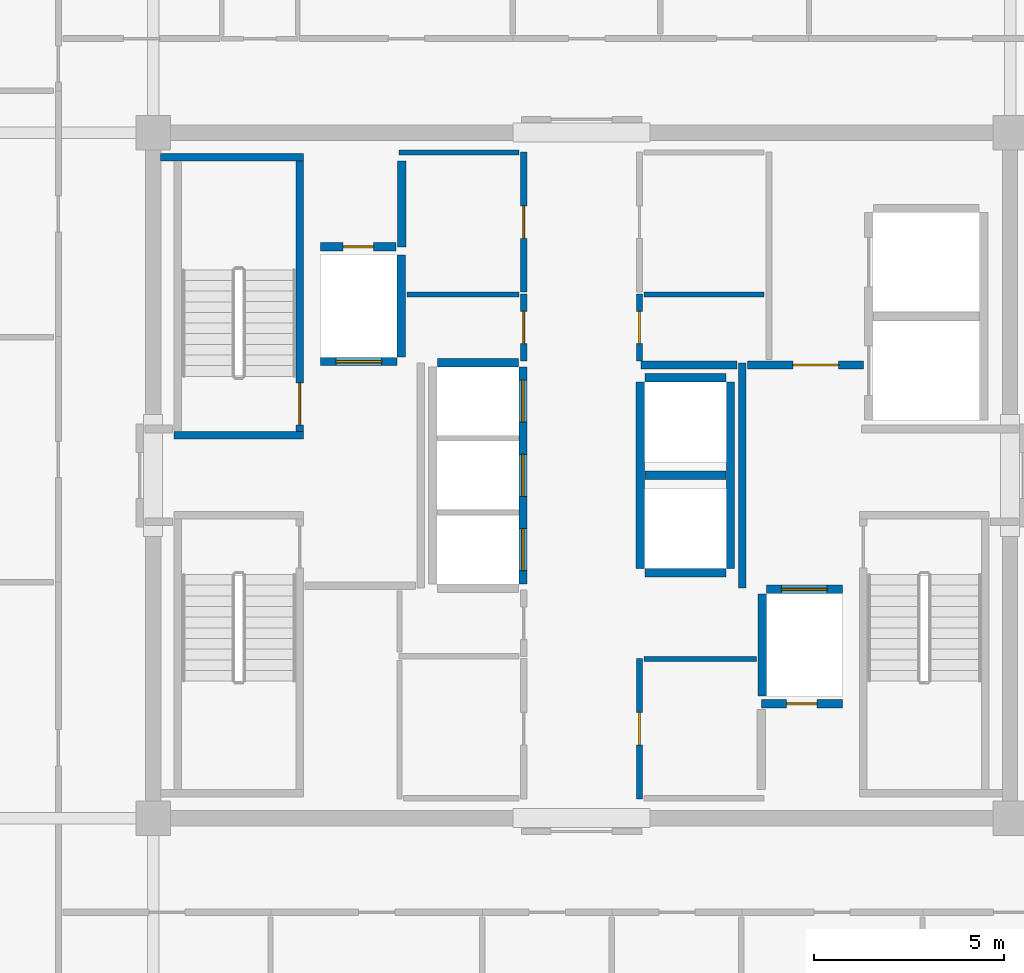
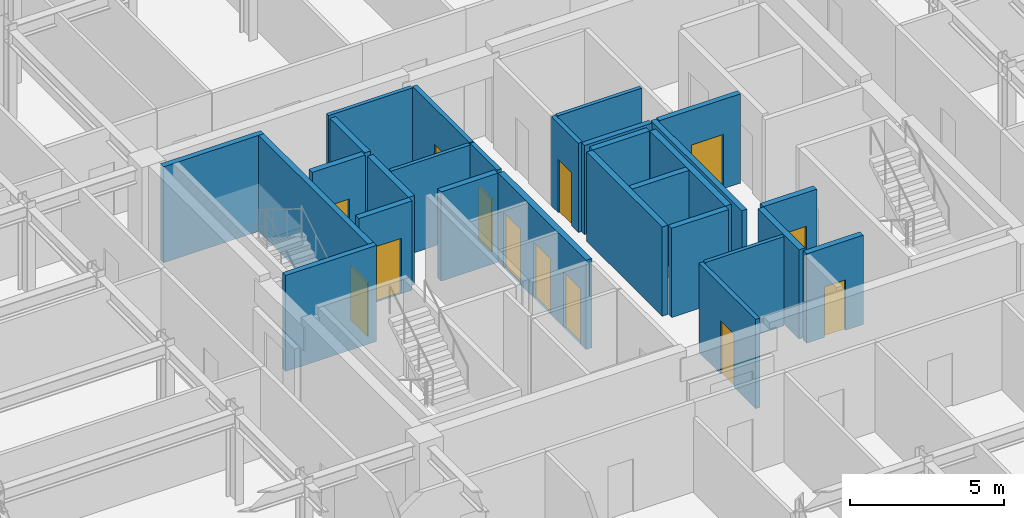
# One storey, part 12 of 16: 28 walls, 13 doors, 13 openings.
"""IFC4 building model written with IfcOpenShell, lengths in metres."""

import ifcopenshell
import ifcopenshell.guid

model = None  # the IFC model being written
_history = None  # IfcOwnerHistory: only IFC2X3 demands one
_inside = {}  # id of a spatial element -> (the spatial element, [elements in it])
_under = {}  # id of a project, library or spatial element -> (it, [spatial elements below it])
_declared = {}  # id of a project -> (the project, [libraries it declares])
_typed = {}  # id of a type object -> (the type object, [elements of that type])
_made_of = {}  # id of a material, layer set ... -> (it, [elements and type objects made of it])


def new_model(schema):
    """Start an empty IFC model of exactly this schema.

    Asked for "IFC4X3", IfcOpenShell would pick the latest addendum, in which some entities
    have other attributes; the version numbers below select the first issue.
    IFC2X3 requires an IfcOwnerHistory on every rooted entity: one is made here for all.
    """
    global model, _history
    if schema == "IFC4X3":
        model = ifcopenshell.file(schema_version=(4, 3, 0, 0))
    else:
        model = ifcopenshell.file(schema=schema)
    _inside.clear()
    _under.clear()
    _declared.clear()
    _typed.clear()
    _made_of.clear()
    _history = None
    if model.schema == "IFC2X3":
        org = make("IfcOrganization", Name="unknown")
        user = make(
            "IfcPersonAndOrganization",
            ThePerson=make("IfcPerson", FamilyName="unknown"),
            TheOrganization=org,
        )
        app = make(
            "IfcApplication",
            ApplicationDeveloper=org,
            Version="unknown",
            ApplicationFullName="unknown",
            ApplicationIdentifier="unknown",
        )
        _history = make(
            "IfcOwnerHistory",
            OwningUser=user,
            OwningApplication=app,
            ChangeAction="ADDED",
            CreationDate=0,
        )
    return model


def make(cls, **values):
    """One entity of the class cls with the attributes given. An attribute that is None is left unset."""
    return model.create_entity(
        cls, **{name: value for name, value in values.items() if value is not None}
    )


def rooted(cls, **values):
    """An entity with a GlobalId (a new one), such as an element, a storey or a relation."""
    return make(cls, GlobalId=ifcopenshell.guid.new(), OwnerHistory=_history, **values)


def si_unit(unit_type, name, prefix=None):
    """IfcSIUnit, for example si_unit("LENGTHUNIT", "METRE", prefix="MILLI")."""
    return make("IfcSIUnit", UnitType=unit_type, Prefix=prefix, Name=name)


def assignment(units):
    """IfcUnitAssignment: the units of a project."""
    return None if units is None else make("IfcUnitAssignment", Units=units)


def point(xyz):
    """IfcCartesianPoint."""
    return None if xyz is None else make("IfcCartesianPoint", Coordinates=xyz)


def direction(xyz):
    """IfcDirection."""
    return None if xyz is None else make("IfcDirection", DirectionRatios=xyz)


def frame(location, z_axis=None, x_axis=None):
    """IfcAxis2Placement3D, a coordinate frame: its origin and axes. An axis left out is left unset."""
    return make(
        "IfcAxis2Placement3D",
        Location=point(location),
        Axis=direction(z_axis),
        RefDirection=direction(x_axis),
    )


def frame_2d(location, x_axis=None):
    """IfcAxis2Placement2D, a coordinate frame in the plane: its origin and x axis."""
    return make(
        "IfcAxis2Placement2D", Location=point(location), RefDirection=direction(x_axis)
    )


def origin():
    """The frame at (0, 0, 0) with its axes left unset."""
    return frame((0.0, 0.0, 0.0))


def place(relative_to, where):
    """IfcLocalPlacement: puts the frame where relative to a parent placement (None: the world)."""
    return make(
        "IfcLocalPlacement", PlacementRelTo=relative_to, RelativePlacement=where
    )


def context(
    kind, dimensions, precision=None, world=None, true_north=None, identifier=None
):
    """IfcGeometricRepresentationContext, for example the 3D "Model" context."""
    return make(
        "IfcGeometricRepresentationContext",
        ContextIdentifier=identifier,
        ContextType=kind,
        CoordinateSpaceDimension=dimensions,
        Precision=precision,
        WorldCoordinateSystem=world,
        TrueNorth=true_north,
    )


def subcontext(parent, identifier, kind, view, scale=None):
    """IfcGeometricRepresentationSubContext, for example "Body" below "Model"."""
    return make(
        "IfcGeometricRepresentationSubContext",
        ContextIdentifier=identifier,
        ContextType=kind,
        ParentContext=parent,
        TargetScale=scale,
        TargetView=view,
    )


def project(units=None, contexts=None):
    """IfcProject with its units and contexts."""
    return rooted(
        "IfcProject",
        Name="project",
        RepresentationContexts=contexts,
        UnitsInContext=assignment(units),
    )


def spatial(cls, under=None, at=None, **own):
    """A site, building, storey or space (cls), placed at a placement, below another one or the project."""
    s = rooted(cls, ObjectPlacement=at, **own)
    if under is not None:
        _under.setdefault(under.id(), (under, []))[1].append(s)
    return s


def profile(cls, at=None, kind="AREA", **sizes):
    """A parametric profile (cls). Its sizes go by their IFC names, for example OverallWidth=200.0."""
    return make(cls, ProfileType=kind, Position=at, **sizes)


def rectangle(**sizes):
    """IfcRectangleProfileDef."""
    return profile("IfcRectangleProfileDef", **sizes)


def extrude(swept, where, along, depth):
    """IfcExtrudedAreaSolid: the profile swept, set in the frame where, extruded along a direction by depth."""
    return make(
        "IfcExtrudedAreaSolid",
        SweptArea=swept,
        Position=where,
        ExtrudedDirection=direction(along),
        Depth=depth,
    )


def shape(context_of_items, identifier, shape_type, items):
    """IfcShapeRepresentation: the items that make up one representation, for example the "Body"."""
    return make(
        "IfcShapeRepresentation",
        ContextOfItems=context_of_items,
        RepresentationIdentifier=identifier,
        RepresentationType=shape_type,
        Items=items,
    )


def source(mapping_origin, context_of_items, identifier, shape_type, items):
    """IfcRepresentationMap: a shape defined once, which mapped items show again and again."""
    return make(
        "IfcRepresentationMap",
        MappingOrigin=mapping_origin,
        MappedRepresentation=shape(context_of_items, identifier, shape_type, items),
    )


def transform(
    local_origin,
    x_axis=None,
    y_axis=None,
    z_axis=None,
    scale=None,
    scale2=None,
    scale3=None,
    uniform=True,
):
    """IfcCartesianTransformationOperator3D, or its non-uniform kind. x_axis, y_axis, z_axis: its Axis1, 2, 3."""
    if uniform:
        return make(
            "IfcCartesianTransformationOperator3D",
            Axis1=direction(x_axis),
            Axis2=direction(y_axis),
            LocalOrigin=point(local_origin),
            Scale=scale,
            Axis3=direction(z_axis),
        )
    return make(
        "IfcCartesianTransformationOperator3DnonUniform",
        Axis1=direction(x_axis),
        Axis2=direction(y_axis),
        LocalOrigin=point(local_origin),
        Scale=scale,
        Axis3=direction(z_axis),
        Scale2=scale2,
        Scale3=scale3,
    )


def mapped(mapping_source, mapping_target):
    """IfcMappedItem: shows the shape of a source again, moved by a transform."""
    return make(
        "IfcMappedItem", MappingSource=mapping_source, MappingTarget=mapping_target
    )


def material(Name=None, Category=None):
    """IfcMaterial."""
    return make("IfcMaterial", Name=Name, Category=Category)


def layer(
    of_material, thickness, ventilated=None, Name=None, Category=None, Priority=None
):
    """IfcMaterialLayer: one layer of a wall or slab, of a material (None: an air gap)."""
    return make(
        "IfcMaterialLayer",
        Material=of_material,
        LayerThickness=thickness,
        IsVentilated=ventilated,
        Name=Name,
        Category=Category,
        Priority=Priority,
    )


def layer_set(layers, Name=None):
    """IfcMaterialLayerSet."""
    return make("IfcMaterialLayerSet", MaterialLayers=layers, LayerSetName=Name)


def made_of(thing, what):
    """Note that an element or type object is made of a material, layer set ...; save() writes the relation."""
    if what is not None:
        _made_of.setdefault(what.id(), (what, []))[1].append(thing)
    return thing


def type_object(cls, material=None, **own):
    """A type object (cls), such as IfcWallType, which elements share."""
    return made_of(rooted(cls, **own), material)


def element(
    cls,
    number,
    at=None,
    inside=None,
    cuts=None,
    type_object=None,
    material=None,
    context=None,
    identifier="Body",
    shape_type=None,
    held_by="IfcProductDefinitionShape",
    body=None,
    shapes=None,
    **own,
):
    """One element of the class cls, such as IfcWall. Its Tag is "e" and its number.

    at: its placement. inside: the storey or other place that contains it. cuts: it is an
    opening in that element (IfcRelVoidsElement). A single representation is given by context,
    identifier, shape_type and body (its items); several are given by shapes. held_by: the class
    of the entity that holds the representations. save() writes the other relations.
    """
    e = rooted(cls, Tag="e%d" % number, ObjectPlacement=at, **own)
    if body is not None:
        shapes = [shape(context, identifier, shape_type, body)]
    if shapes is not None:
        e.Representation = make(held_by, Representations=shapes)
    if inside is not None:
        _inside.setdefault(inside.id(), (inside, []))[1].append(e)
    if cuts is not None:
        rooted(
            "IfcRelVoidsElement", RelatingBuildingElement=cuts, RelatedOpeningElement=e
        )
    if type_object is not None:
        _typed.setdefault(type_object.id(), (type_object, []))[1].append(e)
    return made_of(e, material)


def fill(opening, filler):
    """IfcRelFillsElement: the door or window that sits in an opening."""
    return rooted(
        "IfcRelFillsElement",
        RelatingOpeningElement=opening,
        RelatedBuildingElement=filler,
    )


def aggregate(whole, parts):
    """IfcRelAggregates: a whole, such as a stair, and the parts it consists of."""
    return rooted("IfcRelAggregates", RelatingObject=whole, RelatedObjects=parts)


def save(model, path):
    """Write the relations noted so far, then the file.

    IfcRelAggregates (storeys below a building ...), IfcRelContainedInSpatialStructure (elements
    in a storey), IfcRelDefinesByType, IfcRelAssociatesMaterial and IfcRelDeclares: one each for
    every whole, place, type object, material and project.
    """
    for whole, parts in _under.values():
        aggregate(whole, parts)
    for where, things in _inside.values():
        rooted(
            "IfcRelContainedInSpatialStructure",
            RelatedElements=things,
            RelatingStructure=where,
        )
    for kind, things in _typed.values():
        rooted("IfcRelDefinesByType", RelatedObjects=things, RelatingType=kind)
    for what, things in _made_of.values():
        rooted("IfcRelAssociatesMaterial", RelatedObjects=things, RelatingMaterial=what)
    for by, libraries in _declared.values():
        rooted("IfcRelDeclares", RelatingContext=by, RelatedDefinitions=libraries)
    model.write(path)


model = new_model("IFC4")

# Units and contexts
model_context = context("Model", 3, precision=1e-05, world=origin(), true_north=direction((0.0, 1.0)))
body_context = subcontext(model_context, "Body", "Model", "MODEL_VIEW")
ifc_project = project(units=[si_unit("LENGTHUNIT", "METRE"), si_unit("AREAUNIT", "SQUARE_METRE"), si_unit("VOLUMEUNIT", "CUBIC_METRE"), si_unit("PLANEANGLEUNIT", "RADIAN"), si_unit("MASSUNIT", "GRAM", prefix="KILO")], contexts=[model_context])

# Site, building, storey
site_placement = place(None, origin())
site = spatial("IfcSite", under=ifc_project, at=site_placement, CompositionType="ELEMENT")
building_placement = place(site_placement, origin())
building = spatial("IfcBuilding", under=site, at=building_placement, Name="Nefas-Gora Pilgrimage Tower", CompositionType="ELEMENT")
storey_placement = place(building_placement, frame((0.0, 0.0, 333.800048828125)))
storey = spatial("IfcBuildingStorey", under=building, at=storey_placement, Name="L84", CompositionType="ELEMENT", Elevation=333.800048828125)

# Wall
ifc_material_1 = material(Name="Concrete C45/55", Category="concrete")
ifc_layer_1 = layer(ifc_material_1, 0.199951171875)
ifc_layer_set_1 = layer_set([ifc_layer_1], Name="Concrete C45/55")
wall_type_1 = type_object("IfcWallType", Name="IW-STAIR-200", PredefinedType="SOLIDWALL", material=ifc_layer_set_1)
shared_shape_1 = source(origin(), body_context, "Body", "SweptSolid", [
    extrude(rectangle(XDim=3.39990234375, YDim=0.199951171875, at=frame_2d((1.699951171875, 0.0))), origin(), (0.0, 0.0, 1.0), 3.800048828125),
])
wall_1_placement = place(storey_placement, frame((-7.300048828125, 1.050048828125, 0.0), z_axis=(0.0, 0.0, 1.0), x_axis=(-1.0, 0.0, 0.0)))
element("IfcWall", 1, at=wall_1_placement, inside=storey, type_object=wall_type_1, Name="L84 Stairwell Shear Wall ST-01-near", PredefinedType="SOLIDWALL", context=body_context, shape_type="MappedRepresentation", body=[
    mapped(shared_shape_1, transform((0.0, 0.0, 0.0), x_axis=(1.0, 0.0, 0.0), y_axis=(0.0, 1.0, 0.0), z_axis=(0.0, 0.0, 1.0), scale=1.0)),
])

# Wall, opening, door
shared_shape_2 = source(origin(), body_context, "Body", "SweptSolid", [
    extrude(rectangle(XDim=7.10009765625, YDim=0.199951171875, at=frame_2d((3.550048828125, 0.0))), origin(), (0.0, 0.0, 1.0), 3.800048828125),
])
wall_2_placement = place(storey_placement, frame((-7.39990234375, 1.14990234375, 0.0), z_axis=(0.0, 0.0, 1.0), x_axis=(0.0, 1.0, 0.0)))
wall_2 = element("IfcWall", 2, at=wall_2_placement, inside=storey, type_object=wall_type_1, Name="L84 Stairwell Shear Wall ST-01-left", PredefinedType="SOLIDWALL", context=body_context, shape_type="MappedRepresentation", body=[
    mapped(shared_shape_2, transform((0.0, 0.0, 0.0), x_axis=(1.0, 0.0, 0.0), y_axis=(0.0, 1.0, 0.0), z_axis=(0.0, 0.0, 1.0), scale=1.0)),
])
opening_1_placement = place(wall_2_placement, frame((0.179931640625, 0.0, 0.0)))
opening_1 = element("IfcOpeningElement", 3, at=opening_1_placement, cuts=wall_2, Name="Opening ID-ST1", PredefinedType="OPENING", context=body_context, shape_type="SweptSolid", body=[
    extrude(rectangle(XDim=1.10009765625, YDim=2.14990234375, at=frame_2d((0.550048828125, 1.074951171875))), frame((0.0, 0.10986328125, 0.0), z_axis=(0.0, -1.0, 0.0), x_axis=(1.0, 0.0, 0.0)), (0.0, 0.0, 1.0), 0.219970703125),
])
ifc_material_2 = material(Name="Painted galvanised steel fire stair door", Category="steel")
door_type_1 = type_object("IfcDoorType", Name="DR-INT-STAIR-1100", OperationType="NOTDEFINED", PredefinedType="DOOR", material=ifc_material_2)
shared_shape_3 = source(origin(), body_context, "Body", "SweptSolid", [
    extrude(rectangle(XDim=1.10009765625, YDim=2.14990234375, at=frame_2d((0.550048828125, 1.074951171875))), frame((0.0, 0.02490234375, 0.0), z_axis=(0.0, -1.0, 0.0), x_axis=(1.0, 0.0, 0.0)), (0.0, 0.0, 1.0), 0.050048828125),
])
door_1_placement = place(opening_1_placement, origin())
door_1 = element("IfcDoor", 4, at=door_1_placement, inside=storey, type_object=door_type_1, Name="L84 Protected Exit Stair Door ST-01", OperationType="SINGLE_SWING_RIGHT", OverallHeight=2.14990234375, OverallWidth=1.10009765625, PredefinedType="DOOR", context=body_context, shape_type="MappedRepresentation", body=[
    mapped(shared_shape_3, transform((0.0, 0.0, 0.0), x_axis=(1.0, 0.0, 0.0), y_axis=(0.0, 1.0, 0.0), z_axis=(0.0, 0.0, 1.0), scale=1.0)),
])
fill(opening_1, door_1)

# Wall
shared_shape_4 = source(origin(), body_context, "Body", "SweptSolid", [
    extrude(rectangle(XDim=3.7548828125, YDim=0.199951171875, at=frame_2d((1.87744140625, 0.0))), origin(), (0.0, 0.0, 1.0), 3.800048828125),
])
wall_3_placement = place(storey_placement, frame((-7.300048828125, 8.35009765625, 0.0), z_axis=(0.0, 0.0, 1.0), x_axis=(-1.0, 0.0, 0.0)))
element("IfcWall", 5, at=wall_3_placement, inside=storey, type_object=wall_type_1, Name="L84 Stairwell Shear Wall ST-01-far", PredefinedType="SOLIDWALL", context=body_context, shape_type="MappedRepresentation", body=[
    mapped(shared_shape_4, transform((0.0, 0.0, 0.0), x_axis=(1.0, 0.0, 0.0), y_axis=(0.0, 1.0, 0.0), z_axis=(0.0, 0.0, 1.0), scale=1.0)),
])

# Wall, opening, door
ifc_material_3 = material(Name="Concrete C40/50", Category="concrete")
ifc_layer_2 = layer(ifc_material_3, 0.219970703125)
ifc_layer_set_2 = layer_set([ifc_layer_2], Name="Concrete C40/50")
wall_type_2 = type_object("IfcWallType", Name="IW-SHAFT-220", PredefinedType="SOLIDWALL", material=ifc_layer_set_2)
shared_shape_5 = source(origin(), body_context, "Body", "SweptSolid", [
    extrude(rectangle(XDim=2.0, YDim=0.219970703125, at=frame_2d((1.0, 0.0))), origin(), (0.0, 0.0, 1.0), 3.534912109375),
])
wall_4_placement = place(storey_placement, frame((-6.85009765625, 2.989990234375, 0.0), z_axis=(0.0, 0.0, 1.0), x_axis=(1.0, 0.0, 0.0)))
wall_4 = element("IfcWall", 6, at=wall_4_placement, inside=storey, type_object=wall_type_2, Name="L84 Hoistway Wall FFL-01-S", PredefinedType="SOLIDWALL", context=body_context, shape_type="MappedRepresentation", body=[
    mapped(shared_shape_5, transform((0.0, 0.0, 0.0), x_axis=(1.0, 0.0, 0.0), y_axis=(0.0, 1.0, 0.0), z_axis=(0.0, 0.0, 1.0), scale=1.0)),
])
opening_2_placement = place(wall_4_placement, frame((0.39990234375, 0.0, 0.0)))
opening_2 = element("IfcOpeningElement", 7, at=opening_2_placement, cuts=wall_4, Name="Opening LD-FF", PredefinedType="OPENING", context=body_context, shape_type="SweptSolid", body=[
    extrude(rectangle(XDim=1.199951171875, YDim=2.199951171875, at=frame_2d((0.60009765625, 1.10009765625))), frame((0.0, 0.119873046875, 0.0), z_axis=(0.0, -1.0, 0.0), x_axis=(1.0, 0.0, 0.0)), (0.0, 0.0, 1.0), 0.239990234375),
])
ifc_material_4 = material(Name="Fire-service sliding lift landing door")
door_type_2 = type_object("IfcDoorType", Name="DR-LIFT-FSAE-1200", OperationType="SLIDING_TO_LEFT", PredefinedType="DOOR", material=ifc_material_4)
shared_shape_6 = source(origin(), body_context, "Body", "SweptSolid", [
    extrude(rectangle(XDim=1.199951171875, YDim=2.199951171875, at=frame_2d((0.60009765625, 1.10009765625))), frame((0.0, 0.02490234375, 0.0), z_axis=(0.0, -1.0, 0.0), x_axis=(1.0, 0.0, 0.0)), (0.0, 0.0, 1.0), 0.050048828125),
])
door_2_placement = place(opening_2_placement, origin())
door_2 = element("IfcDoor", 8, at=door_2_placement, inside=storey, type_object=door_type_2, Name="L84 Sliding Lift Landing Door FFL-01", OperationType="SLIDING_TO_LEFT", OverallHeight=2.199951171875, OverallWidth=1.199951171875, PredefinedType="DOOR", context=body_context, shape_type="MappedRepresentation", body=[
    mapped(shared_shape_6, transform((0.0, 0.0, 0.0), x_axis=(1.0, 0.0, 0.0), y_axis=(0.0, 1.0, 0.0), z_axis=(0.0, 0.0, 1.0), scale=1.0)),
])
fill(opening_2, door_2)

wall_5_placement = place(storey_placement, frame((6.85009765625, -2.989990234375, 0.0), z_axis=(0.0, 0.0, 1.0), x_axis=(-1.0, 0.0, 0.0)))
wall_5 = element("IfcWall", 9, at=wall_5_placement, inside=storey, type_object=wall_type_2, Name="L84 Hoistway Wall FFL-02-N", PredefinedType="SOLIDWALL", context=body_context, shape_type="MappedRepresentation", body=[
    mapped(shared_shape_5, transform((0.0, 0.0, 0.0), x_axis=(1.0, 0.0, 0.0), y_axis=(0.0, 1.0, 0.0), z_axis=(0.0, 0.0, 1.0), scale=1.0)),
])
opening_3_placement = place(wall_5_placement, frame((0.39990234375, 0.0, 0.0)))
opening_3 = element("IfcOpeningElement", 10, at=opening_3_placement, cuts=wall_5, Name="Opening LD-FF", PredefinedType="OPENING", context=body_context, shape_type="SweptSolid", body=[
    extrude(rectangle(XDim=1.199951171875, YDim=2.199951171875, at=frame_2d((0.60009765625, 1.10009765625))), frame((0.0, 0.119873046875, 0.0), z_axis=(0.0, -1.0, 0.0), x_axis=(1.0, 0.0, 0.0)), (0.0, 0.0, 1.0), 0.239990234375),
])
door_3_placement = place(opening_3_placement, origin())
door_3 = element("IfcDoor", 11, at=door_3_placement, inside=storey, type_object=door_type_2, Name="L84 Sliding Lift Landing Door FFL-02", OperationType="SLIDING_TO_LEFT", OverallHeight=2.199951171875, OverallWidth=1.199951171875, PredefinedType="DOOR", context=body_context, shape_type="MappedRepresentation", body=[
    mapped(shared_shape_6, transform((0.0, 0.0, 0.0), x_axis=(1.0, 0.0, 0.0), y_axis=(0.0, 1.0, 0.0), z_axis=(0.0, 0.0, 1.0), scale=1.0)),
])
fill(opening_3, door_3)

# Walls
shared_shape_7 = source(origin(), body_context, "Body", "SweptSolid", [
    extrude(rectangle(XDim=2.679931640625, YDim=0.219970703125, at=frame_2d((1.33984375, 0.0))), origin(), (0.0, 0.0, 1.0), 3.534912109375),
])
for number, where, z_axis, x_axis, name in (
    (12, (-4.739990234375, 3.110107421875, 0.0), (0.0, 0.0, 1.0), (0.0, 1.0, 0.0), "L84 Hoistway Wall FFL-01-E"),
    (13, (4.739990234375, -3.110107421875, 0.0), (0.0, 0.0, 1.0), (0.0, -1.0, 0.0), "L84 Hoistway Wall FFL-02-W"),
):
    element("IfcWall", number, at=place(storey_placement, frame(where, z_axis=z_axis, x_axis=x_axis)), inside=storey, type_object=wall_type_2, Name=name, PredefinedType="SOLIDWALL", context=body_context, shape_type="MappedRepresentation", body=[
        mapped(shared_shape_7, transform((0.0, 0.0, 0.0), x_axis=(1.0, 0.0, 0.0), y_axis=(0.0, 1.0, 0.0), z_axis=(0.0, 0.0, 1.0), scale=1.0)),
    ])

# Wall, openings, doors
shared_shape_8 = source(origin(), body_context, "Body", "SweptSolid", [
    extrude(rectangle(XDim=5.7001953125, YDim=0.219970703125, at=frame_2d((2.85009765625, 0.0))), origin(), (0.0, 0.0, 1.0), 3.534912109375),
])
wall_6_placement = place(storey_placement, frame((-1.5400390625, -2.85009765625, 0.0), z_axis=(0.0, 0.0, 1.0), x_axis=(0.0, 1.0, 0.0)))
wall_6 = element("IfcWall", 14, at=wall_6_placement, inside=storey, type_object=wall_type_2, Name="L84 Hoistway Wall PL3-01-03-E", PredefinedType="SOLIDWALL", context=body_context, shape_type="MappedRepresentation", body=[
    mapped(shared_shape_8, transform((0.0, 0.0, 0.0), x_axis=(1.0, 0.0, 0.0), y_axis=(0.0, 1.0, 0.0), z_axis=(0.0, 0.0, 1.0), scale=1.0)),
])
opening_4_placement = place(wall_6_placement, frame((0.35009765625, 0.0, 0.0)))
opening_4 = element("IfcOpeningElement", 15, at=opening_4_placement, cuts=wall_6, Name="Opening LD-01", PredefinedType="OPENING", context=body_context, shape_type="SweptSolid", body=[
    extrude(rectangle(XDim=1.10009765625, YDim=2.199951171875, at=frame_2d((0.550048828125, 1.10009765625))), frame((0.0, 0.119873046875, 0.0), z_axis=(0.0, -1.0, 0.0), x_axis=(1.0, 0.0, 0.0)), (0.0, 0.0, 1.0), 0.239990234375),
])
opening_5_placement = place(wall_6_placement, frame((2.300048828125, 0.0, 0.0)))
opening_5 = element("IfcOpeningElement", 16, at=opening_5_placement, cuts=wall_6, Name="Opening LD-01", PredefinedType="OPENING", context=body_context, shape_type="SweptSolid", body=[
    extrude(rectangle(XDim=1.10009765625, YDim=2.199951171875, at=frame_2d((0.550048828125, 1.10009765625))), frame((0.0, 0.119873046875, 0.0), z_axis=(0.0, -1.0, 0.0), x_axis=(1.0, 0.0, 0.0)), (0.0, 0.0, 1.0), 0.239990234375),
])
opening_6_placement = place(wall_6_placement, frame((4.25, 0.0, 0.0)))
opening_6 = element("IfcOpeningElement", 17, at=opening_6_placement, cuts=wall_6, Name="Opening LD-01", PredefinedType="OPENING", context=body_context, shape_type="SweptSolid", body=[
    extrude(rectangle(XDim=1.10009765625, YDim=2.199951171875, at=frame_2d((0.550048828125, 1.10009765625))), frame((0.0, 0.119873046875, 0.0), z_axis=(0.0, -1.0, 0.0), x_axis=(1.0, 0.0, 0.0)), (0.0, 0.0, 1.0), 0.239990234375),
])
ifc_material_5 = material(Name="Brushed stainless sliding lift landing door")
door_type_3 = type_object("IfcDoorType", Name="DR-LIFT-PASS-1100", OperationType="DOUBLE_DOOR_SLIDING", PredefinedType="DOOR", material=ifc_material_5)
shared_shape_9 = source(origin(), body_context, "Body", "SweptSolid", [
    extrude(rectangle(XDim=1.10009765625, YDim=2.199951171875, at=frame_2d((0.550048828125, 1.10009765625))), frame((0.0, 0.02490234375, 0.0), z_axis=(0.0, -1.0, 0.0), x_axis=(1.0, 0.0, 0.0)), (0.0, 0.0, 1.0), 0.050048828125),
])
door_4_placement = place(opening_4_placement, origin())
door_4 = element("IfcDoor", 18, at=door_4_placement, inside=storey, type_object=door_type_3, Name="L84 Sliding Lift Landing Door PL3-01", OperationType="DOUBLE_DOOR_SLIDING", OverallHeight=2.199951171875, OverallWidth=1.10009765625, PredefinedType="DOOR", context=body_context, shape_type="MappedRepresentation", body=[
    mapped(shared_shape_9, transform((0.0, 0.0, 0.0), x_axis=(1.0, 0.0, 0.0), y_axis=(0.0, 1.0, 0.0), z_axis=(0.0, 0.0, 1.0), scale=1.0)),
])
fill(opening_4, door_4)
door_5_placement = place(opening_5_placement, origin())
door_5 = element("IfcDoor", 19, at=door_5_placement, inside=storey, type_object=door_type_3, Name="L84 Sliding Lift Landing Door PL3-02", OperationType="DOUBLE_DOOR_SLIDING", OverallHeight=2.199951171875, OverallWidth=1.10009765625, PredefinedType="DOOR", context=body_context, shape_type="MappedRepresentation", body=[
    mapped(shared_shape_9, transform((0.0, 0.0, 0.0), x_axis=(1.0, 0.0, 0.0), y_axis=(0.0, 1.0, 0.0), z_axis=(0.0, 0.0, 1.0), scale=1.0)),
])
fill(opening_5, door_5)
door_6_placement = place(opening_6_placement, origin())
door_6 = element("IfcDoor", 20, at=door_6_placement, inside=storey, type_object=door_type_3, Name="L84 Sliding Lift Landing Door PL3-03", OperationType="DOUBLE_DOOR_SLIDING", OverallHeight=2.199951171875, OverallWidth=1.10009765625, PredefinedType="DOOR", context=body_context, shape_type="MappedRepresentation", body=[
    mapped(shared_shape_9, transform((0.0, 0.0, 0.0), x_axis=(1.0, 0.0, 0.0), y_axis=(0.0, 1.0, 0.0), z_axis=(0.0, 0.0, 1.0), scale=1.0)),
])
fill(opening_6, door_6)

# Walls
shared_shape_10 = source(origin(), body_context, "Body", "SweptSolid", [
    extrude(rectangle(XDim=2.130126953125, YDim=0.219970703125, at=frame_2d((1.06494140625, 0.0))), origin(), (0.0, 0.0, 1.0), 3.534912109375),
])
for number, where, z_axis, x_axis, name in (
    (21, (-1.659912109375, 2.9599609375, 0.0), (0.0, 0.0, 1.0), (-1.0, 0.0, 0.0), "L84 Hoistway Wall PL3-03-N"),
    (22, (1.659912109375, -2.56005859375, 0.0), (0.0, 0.0, 1.0), (1.0, 0.0, 0.0), "L84 Hoistway Wall OBS-01-S"),
    (23, (1.659912109375, 0.0, 0.0), (0.0, 0.0, 1.0), (1.0, 0.0, 0.0), "L84 Hoistway Wall OBS-01-02-DIV"),
    (24, (3.7900390625, 2.56005859375, 0.0), (0.0, 0.0, 1.0), (-1.0, 0.0, 0.0), "L84 Hoistway Wall OBS-02-N"),
):
    element("IfcWall", number, at=place(storey_placement, frame(where, z_axis=z_axis, x_axis=x_axis)), inside=storey, type_object=wall_type_2, Name=name, PredefinedType="SOLIDWALL", context=body_context, shape_type="MappedRepresentation", body=[
        mapped(shared_shape_10, transform((0.0, 0.0, 0.0), x_axis=(1.0, 0.0, 0.0), y_axis=(0.0, 1.0, 0.0), z_axis=(0.0, 0.0, 1.0), scale=1.0)),
    ])

# Wall, opening, door
wall_7_placement = place(storey_placement, frame((4.719970703125, -6.0, 0.0), z_axis=(0.0, 0.0, 1.0), x_axis=(1.0, 0.0, 0.0)))
wall_7 = element("IfcWall", 25, at=wall_7_placement, inside=storey, type_object=wall_type_2, Name="L84 Riser Shaft Wall 3", PredefinedType="SOLIDWALL", context=body_context, shape_type="MappedRepresentation", body=[
    mapped(shared_shape_10, transform((0.0, 0.0, 0.0), x_axis=(1.0, 0.0, 0.0), y_axis=(0.0, 1.0, 0.0), z_axis=(0.0, 0.0, 1.0), scale=1.0)),
])
opening_7_placement = place(wall_7_placement, frame((0.6650390625, 0.0, 0.0)))
opening_7 = element("IfcOpeningElement", 26, at=opening_7_placement, cuts=wall_7, Name="Opening ID-TR1", PredefinedType="OPENING", context=body_context, shape_type="SweptSolid", body=[
    extrude(rectangle(XDim=0.800048828125, YDim=2.0, at=frame_2d((0.39990234375, 1.0))), frame((0.0, 0.119873046875, 0.0), z_axis=(0.0, -1.0, 0.0), x_axis=(1.0, 0.0, 0.0)), (0.0, 0.0, 1.0), 0.239990234375),
])
ifc_material_6 = material(Name="Riser maintenance fire access door")
door_type_4 = type_object("IfcDoorType", Name="DR-INT-TRAP-800", OperationType="NOTDEFINED", PredefinedType="TRAPDOOR", material=ifc_material_6)
shared_shape_11 = source(origin(), body_context, "Body", "SweptSolid", [
    extrude(rectangle(XDim=0.800048828125, YDim=2.0, at=frame_2d((0.39990234375, 1.0))), frame((0.0, 0.02490234375, 0.0), z_axis=(0.0, -1.0, 0.0), x_axis=(1.0, 0.0, 0.0)), (0.0, 0.0, 1.0), 0.050048828125),
])
door_7_placement = place(opening_7_placement, origin())
door_7 = element("IfcDoor", 27, at=door_7_placement, inside=storey, type_object=door_type_4, Name="L84 Riser Shaft Door 2", OperationType="SINGLE_SWING_RIGHT", OverallHeight=2.0, OverallWidth=0.800048828125, PredefinedType="TRAPDOOR", context=body_context, shape_type="MappedRepresentation", body=[
    mapped(shared_shape_11, transform((0.0, 0.0, 0.0), x_axis=(1.0, 0.0, 0.0), y_axis=(0.0, 1.0, 0.0), z_axis=(0.0, 0.0, 1.0), scale=1.0)),
])
fill(opening_7, door_7)

# Walls
shared_shape_12 = source(origin(), body_context, "Body", "SweptSolid", [
    extrude(rectangle(XDim=4.89990234375, YDim=0.219970703125, at=frame_2d((2.449951171875, 0.0))), origin(), (0.0, 0.0, 1.0), 3.534912109375),
])
for number, where, z_axis, x_axis, name in (
    (28, (1.5400390625, 2.449951171875, 0.0), (0.0, 0.0, 1.0), (0.0, -1.0, 0.0), "L84 Hoistway Wall OBS-01-02-W"),
    (29, (3.909912109375, -2.449951171875, 0.0), (0.0, 0.0, 1.0), (0.0, 1.0, 0.0), "L84 Hoistway Wall OBS-01-02-E"),
):
    element("IfcWall", number, at=place(storey_placement, frame(where, z_axis=z_axis, x_axis=x_axis)), inside=storey, type_object=wall_type_2, Name=name, PredefinedType="SOLIDWALL", context=body_context, shape_type="MappedRepresentation", body=[
        mapped(shared_shape_12, transform((0.0, 0.0, 0.0), x_axis=(1.0, 0.0, 0.0), y_axis=(0.0, 1.0, 0.0), z_axis=(0.0, 0.0, 1.0), scale=1.0)),
    ])
ifc_material_7 = material(Name="Gypsum fire-rated shaftwall")
ifc_layer_3 = layer(ifc_material_7, 0.199951171875)
ifc_layer_set_3 = layer_set([ifc_layer_3], Name="Gypsum fire-rated shaftwall")
wall_type_3 = type_object("IfcWallType", Name="IW-FFLOB-200", PredefinedType="PARTITIONING", material=ifc_layer_set_3)
shared_shape_13 = source(origin(), body_context, "Body", "SweptSolid", [
    extrude(rectangle(XDim=5.89990234375, YDim=0.199951171875, at=frame_2d((2.949951171875, 0.0))), origin(), (0.0, 0.0, 1.0), 3.534912109375),
])
wall_8_placement = place(storey_placement, frame((4.219970703125, -2.949951171875, 0.0), z_axis=(0.0, 0.0, 1.0), x_axis=(0.0, 1.0, 0.0)))
element("IfcWall", 30, at=wall_8_placement, inside=storey, type_object=wall_type_3, Name="L84 FF Lobby East Inner Wall Wall 11", PredefinedType="PARTITIONING", context=body_context, shape_type="MappedRepresentation", body=[
    mapped(shared_shape_13, transform((0.0, 0.0, 0.0), x_axis=(1.0, 0.0, 0.0), y_axis=(0.0, 1.0, 0.0), z_axis=(0.0, 0.0, 1.0), scale=1.0)),
])

# Wall, opening, door
shared_shape_14 = source(origin(), body_context, "Body", "SweptSolid", [
    extrude(rectangle(XDim=3.039794921875, YDim=0.199951171875, at=frame_2d((1.52001953125, 0.0))), origin(), (0.0, 0.0, 1.0), 3.534912109375),
])
wall_9_placement = place(storey_placement, frame((4.360107421875, 2.89990234375, 0.0), z_axis=(0.0, 0.0, 1.0), x_axis=(1.0, 0.0, 0.0)))
wall_9 = element("IfcWall", 31, at=wall_9_placement, inside=storey, type_object=wall_type_3, Name="L84 FF Lobby East North Wall Wall 13", PredefinedType="PARTITIONING", context=body_context, shape_type="MappedRepresentation", body=[
    mapped(shared_shape_14, transform((0.0, 0.0, 0.0), x_axis=(1.0, 0.0, 0.0), y_axis=(0.0, 1.0, 0.0), z_axis=(0.0, 0.0, 1.0), scale=1.0)),
])
opening_8_placement = place(wall_9_placement, frame((1.18994140625, 0.0, 0.0)))
opening_8 = element("IfcOpeningElement", 32, at=opening_8_placement, cuts=wall_9, Name="Opening ID-PL1", PredefinedType="OPENING", context=body_context, shape_type="SweptSolid", body=[
    extrude(rectangle(XDim=1.199951171875, YDim=2.14990234375, at=frame_2d((0.60009765625, 1.074951171875))), frame((0.0, 0.10986328125, 0.0), z_axis=(0.0, -1.0, 0.0), x_axis=(1.0, 0.0, 0.0)), (0.0, 0.0, 1.0), 0.219970703125),
])
ifc_material_8 = material(Name="Heavy-duty steel plant room fire door", Category="steel")
door_type_5 = type_object("IfcDoorType", Name="DR-INT-PLANT-1200", OperationType="NOTDEFINED", PredefinedType="DOOR", material=ifc_material_8)
shared_shape_15 = source(origin(), body_context, "Body", "SweptSolid", [
    extrude(rectangle(XDim=1.199951171875, YDim=2.14990234375, at=frame_2d((0.60009765625, 1.074951171875))), frame((0.0, 0.02490234375, 0.0), z_axis=(0.0, -1.0, 0.0), x_axis=(1.0, 0.0, 0.0)), (0.0, 0.0, 1.0), 0.050048828125),
])
door_8_placement = place(opening_8_placement, origin())
door_8 = element("IfcDoor", 33, at=door_8_placement, inside=storey, type_object=door_type_5, Name="L84 Service Lift Lobby Door Door 5", OperationType="SINGLE_SWING_LEFT", OverallHeight=2.14990234375, OverallWidth=1.199951171875, PredefinedType="DOOR", context=body_context, shape_type="MappedRepresentation", body=[
    mapped(shared_shape_15, transform((0.0, 0.0, 0.0), x_axis=(1.0, 0.0, 0.0), y_axis=(0.0, 1.0, 0.0), z_axis=(0.0, 0.0, 1.0), scale=1.0)),
])
fill(opening_8, door_8)

# Walls
ifc_material_9 = material(Name="Gypsum twin-stud partition")
ifc_layer_4 = layer(ifc_material_9, 0.139892578125)
ifc_layer_set_4 = layer_set([ifc_layer_4], Name="Gypsum twin-stud partition")
wall_type_4 = type_object("IfcWallType", Name="IW-UNIT-140", PredefinedType="PARTITIONING", material=ifc_layer_set_4)
shared_shape_16 = source(origin(), body_context, "Body", "SweptSolid", [
    extrude(rectangle(XDim=2.9501953125, YDim=0.139892578125, at=frame_2d((1.47509765625, 0.0))), origin(), (0.0, 0.0, 1.0), 3.534912109375),
])
for number, where, z_axis, x_axis, name in (
    (34, (-4.590087890625, 4.75, 0.0), (0.0, 0.0, 1.0), (1.0, 0.0, 0.0), "L84 Housekeeping and Linen Store Partition Wall 24"),
    (35, (1.639892578125, -4.820068359375, 0.0), (0.0, 0.0, 1.0), (1.0, 0.0, 0.0), "L84 High-Rise Tableware Store Partition Wall 38"),
):
    element("IfcWall", number, at=place(storey_placement, frame(where, z_axis=z_axis, x_axis=x_axis)), inside=storey, type_object=wall_type_4, Name=name, PredefinedType="PARTITIONING", context=body_context, shape_type="MappedRepresentation", body=[
        mapped(shared_shape_16, transform((0.0, 0.0, 0.0), x_axis=(1.0, 0.0, 0.0), y_axis=(0.0, 1.0, 0.0), z_axis=(0.0, 0.0, 1.0), scale=1.0)),
    ])
shared_shape_17 = source(origin(), body_context, "Body", "SweptSolid", [
    extrude(rectangle(XDim=3.150146484375, YDim=0.139892578125, at=frame_2d((1.5751953125, 0.0))), origin(), (0.0, 0.0, 1.0), 3.534912109375),
])
for number, where, z_axis, x_axis, name in (
    (36, (-4.7900390625, 8.47998046875, 0.0), (0.0, 0.0, 1.0), (1.0, 0.0, 0.0), "L84 Archival Supply Store Partition Wall 26"),
    (37, (1.639892578125, 4.75, 0.0), (0.0, 0.0, 1.0), (1.0, 0.0, 0.0), "L84 Clean Blanket and Robe Store Partition Wall 28"),
):
    element("IfcWall", number, at=place(storey_placement, frame(where, z_axis=z_axis, x_axis=x_axis)), inside=storey, type_object=wall_type_4, Name=name, PredefinedType="PARTITIONING", context=body_context, shape_type="MappedRepresentation", body=[
        mapped(shared_shape_17, transform((0.0, 0.0, 0.0), x_axis=(1.0, 0.0, 0.0), y_axis=(0.0, 1.0, 0.0), z_axis=(0.0, 0.0, 1.0), scale=1.0)),
    ])
shared_shape_18 = source(origin(), body_context, "Body", "SweptSolid", [
    extrude(rectangle(XDim=2.25, YDim=0.219970703125, at=frame_2d((1.125, 0.0))), origin(), (0.0, 0.0, 1.0), 3.534912109375),
])
wall_10_placement = place(storey_placement, frame((-4.719970703125, 6.0, 0.0), z_axis=(0.0, 0.0, 1.0), x_axis=(0.0, 1.0, 0.0)))
element("IfcWall", 38, at=wall_10_placement, inside=storey, type_object=wall_type_2, Name="L84 Riser Shaft Wall 1", PredefinedType="SOLIDWALL", context=body_context, shape_type="MappedRepresentation", body=[
    mapped(shared_shape_18, transform((0.0, 0.0, 0.0), x_axis=(1.0, 0.0, 0.0), y_axis=(0.0, 1.0, 0.0), z_axis=(0.0, 0.0, 1.0), scale=1.0)),
])

# Wall, opening, door
shared_shape_19 = source(origin(), body_context, "Body", "SweptSolid", [
    extrude(rectangle(XDim=1.97998046875, YDim=0.219970703125, at=frame_2d((0.989990234375, 0.0))), origin(), (0.0, 0.0, 1.0), 3.534912109375),
])
wall_11_placement = place(storey_placement, frame((-6.85009765625, 6.0, 0.0), z_axis=(0.0, 0.0, 1.0), x_axis=(1.0, 0.0, 0.0)))
wall_11 = element("IfcWall", 39, at=wall_11_placement, inside=storey, type_object=wall_type_2, Name="L84 Riser Shaft Wall 2", PredefinedType="SOLIDWALL", context=body_context, shape_type="MappedRepresentation", body=[
    mapped(shared_shape_19, transform((0.0, 0.0, 0.0), x_axis=(1.0, 0.0, 0.0), y_axis=(0.0, 1.0, 0.0), z_axis=(0.0, 0.0, 1.0), scale=1.0)),
])
opening_9_placement = place(wall_11_placement, frame((0.590087890625, 0.0, 0.0)))
opening_9 = element("IfcOpeningElement", 40, at=opening_9_placement, cuts=wall_11, Name="Opening ID-TR1", PredefinedType="OPENING", context=body_context, shape_type="SweptSolid", body=[
    extrude(rectangle(XDim=0.800048828125, YDim=2.0, at=frame_2d((0.39990234375, 1.0))), frame((0.0, 0.119873046875, 0.0), z_axis=(0.0, -1.0, 0.0), x_axis=(1.0, 0.0, 0.0)), (0.0, 0.0, 1.0), 0.239990234375),
])
door_9_placement = place(opening_9_placement, origin())
door_9 = element("IfcDoor", 41, at=door_9_placement, inside=storey, type_object=door_type_4, Name="L84 Riser Shaft Door 1", OperationType="SINGLE_SWING_LEFT", OverallHeight=2.0, OverallWidth=0.800048828125, PredefinedType="TRAPDOOR", context=body_context, shape_type="MappedRepresentation", body=[
    mapped(shared_shape_11, transform((0.0, 0.0, 0.0), x_axis=(1.0, 0.0, 0.0), y_axis=(0.0, 1.0, 0.0), z_axis=(0.0, 0.0, 1.0), scale=1.0)),
])
fill(opening_9, door_9)

# Wall
shared_shape_20 = source(origin(), body_context, "Body", "SweptSolid", [
    extrude(rectangle(XDim=2.52001953125, YDim=0.199951171875, at=frame_2d((1.260009765625, 0.0))), origin(), (0.0, 0.0, 1.0), 3.534912109375),
])
wall_12_placement = place(storey_placement, frame((1.56005859375, 2.89990234375, 0.0), z_axis=(0.0, 0.0, 1.0), x_axis=(1.0, 0.0, 0.0)))
element("IfcWall", 42, at=wall_12_placement, inside=storey, type_object=wall_type_3, Name="L84 FF Lobby East North Wall Wall 12", PredefinedType="PARTITIONING", context=body_context, shape_type="MappedRepresentation", body=[
    mapped(shared_shape_20, transform((0.0, 0.0, 0.0), x_axis=(1.0, 0.0, 0.0), y_axis=(0.0, 1.0, 0.0), z_axis=(0.0, 0.0, 1.0), scale=1.0)),
])

# Wall, opening, door
ifc_material_10 = material(Name="Gypsum acoustic stud partition")
ifc_layer_5 = layer(ifc_material_10, 0.159912109375)
ifc_layer_set_5 = layer_set([ifc_layer_5], Name="Gypsum acoustic stud partition")
wall_type_5 = type_object("IfcWallType", Name="IW-CORR-160", PredefinedType="PARTITIONING", material=ifc_layer_set_5)
shared_shape_21 = source(origin(), body_context, "Body", "SweptSolid", [
    extrude(rectangle(XDim=1.75, YDim=0.159912109375, at=frame_2d((0.875, 0.0))), origin(), (0.0, 0.0, 1.0), 3.534912109375),
])
wall_13_placement = place(storey_placement, frame((-1.52001953125, 3.010009765625, 0.0), z_axis=(0.0, 0.0, 1.0), x_axis=(0.0, 1.0, 0.0)))
wall_13 = element("IfcWall", 43, at=wall_13_placement, inside=storey, type_object=wall_type_5, Name="L84 Housekeeping and Linen Store Wall 23", PredefinedType="PARTITIONING", context=body_context, shape_type="MappedRepresentation", body=[
    mapped(shared_shape_21, transform((0.0, 0.0, 0.0), x_axis=(1.0, 0.0, 0.0), y_axis=(0.0, 1.0, 0.0), z_axis=(0.0, 0.0, 1.0), scale=1.0)),
])
opening_10_placement = place(wall_13_placement, frame((0.449951171875, 0.0, 0.0)))
opening_10 = element("IfcOpeningElement", 44, at=opening_10_placement, cuts=wall_13, Name="Opening ID-BT1", PredefinedType="OPENING", context=body_context, shape_type="SweptSolid", body=[
    extrude(rectangle(XDim=0.85009765625, YDim=2.10009765625, at=frame_2d((0.425048828125, 1.050048828125))), frame((0.0, 0.08984375, 0.0), z_axis=(0.0, -1.0, 0.0), x_axis=(1.0, 0.0, 0.0)), (0.0, 0.0, 1.0), 0.179931640625),
])
ifc_material_11 = material(Name="Moisture-resistant fire-rated timber door", Category="wood")
door_type_6 = type_object("IfcDoorType", Name="DR-INT-BATH-850", OperationType="NOTDEFINED", PredefinedType="DOOR", material=ifc_material_11)
shared_shape_22 = source(origin(), body_context, "Body", "SweptSolid", [
    extrude(rectangle(XDim=0.85009765625, YDim=2.10009765625, at=frame_2d((0.425048828125, 1.050048828125))), frame((0.0, 0.02490234375, 0.0), z_axis=(0.0, -1.0, 0.0), x_axis=(1.0, 0.0, 0.0)), (0.0, 0.0, 1.0), 0.050048828125),
])
door_10_placement = place(opening_10_placement, origin())
door_10 = element("IfcDoor", 45, at=door_10_placement, inside=storey, type_object=door_type_6, Name="L84 Housekeeping and Linen Store Door 9", OperationType="SINGLE_SWING_LEFT", OverallHeight=2.10009765625, OverallWidth=0.85009765625, PredefinedType="DOOR", context=body_context, shape_type="MappedRepresentation", body=[
    mapped(shared_shape_22, transform((0.0, 0.0, 0.0), x_axis=(1.0, 0.0, 0.0), y_axis=(0.0, 1.0, 0.0), z_axis=(0.0, 0.0, 1.0), scale=1.0)),
])
fill(opening_10, door_10)

wall_14_placement = place(storey_placement, frame((1.52001953125, 3.010009765625, 0.0), z_axis=(0.0, 0.0, 1.0), x_axis=(0.0, 1.0, 0.0)))
wall_14 = element("IfcWall", 46, at=wall_14_placement, inside=storey, type_object=wall_type_5, Name="L84 Clean Blanket and Robe Store Wall 27", PredefinedType="PARTITIONING", context=body_context, shape_type="MappedRepresentation", body=[
    mapped(shared_shape_21, transform((0.0, 0.0, 0.0), x_axis=(1.0, 0.0, 0.0), y_axis=(0.0, 1.0, 0.0), z_axis=(0.0, 0.0, 1.0), scale=1.0)),
])
opening_11_placement = place(wall_14_placement, frame((0.449951171875, 0.0, 0.0)))
opening_11 = element("IfcOpeningElement", 47, at=opening_11_placement, cuts=wall_14, Name="Opening ID-BT1", PredefinedType="OPENING", context=body_context, shape_type="SweptSolid", body=[
    extrude(rectangle(XDim=0.85009765625, YDim=2.10009765625, at=frame_2d((0.425048828125, 1.050048828125))), frame((0.0, 0.08984375, 0.0), z_axis=(0.0, -1.0, 0.0), x_axis=(1.0, 0.0, 0.0)), (0.0, 0.0, 1.0), 0.179931640625),
])
door_11_placement = place(opening_11_placement, origin())
door_11 = element("IfcDoor", 48, at=door_11_placement, inside=storey, type_object=door_type_6, Name="L84 Clean Blanket and Robe Store Door 11", OperationType="SINGLE_SWING_LEFT", OverallHeight=2.10009765625, OverallWidth=0.85009765625, PredefinedType="DOOR", context=body_context, shape_type="MappedRepresentation", body=[
    mapped(shared_shape_22, transform((0.0, 0.0, 0.0), x_axis=(1.0, 0.0, 0.0), y_axis=(0.0, 1.0, 0.0), z_axis=(0.0, 0.0, 1.0), scale=1.0)),
])
fill(opening_11, door_11)

shared_shape_23 = source(origin(), body_context, "Body", "SweptSolid", [
    extrude(rectangle(XDim=3.679931640625, YDim=0.159912109375, at=frame_2d((1.83984375, 0.0))), origin(), (0.0, 0.0, 1.0), 3.534912109375),
])
wall_15_placement = place(storey_placement, frame((-1.52001953125, 4.81005859375, 0.0), z_axis=(0.0, 0.0, 1.0), x_axis=(0.0, 1.0, 0.0)))
wall_15 = element("IfcWall", 49, at=wall_15_placement, inside=storey, type_object=wall_type_5, Name="L84 Archival Supply Store Wall 25", PredefinedType="PARTITIONING", context=body_context, shape_type="MappedRepresentation", body=[
    mapped(shared_shape_23, transform((0.0, 0.0, 0.0), x_axis=(1.0, 0.0, 0.0), y_axis=(0.0, 1.0, 0.0), z_axis=(0.0, 0.0, 1.0), scale=1.0)),
])
opening_12_placement = place(wall_15_placement, frame((1.4150390625, 0.0, 0.0)))
opening_12 = element("IfcOpeningElement", 50, at=opening_12_placement, cuts=wall_15, Name="Opening ID-BT1", PredefinedType="OPENING", context=body_context, shape_type="SweptSolid", body=[
    extrude(rectangle(XDim=0.85009765625, YDim=2.10009765625, at=frame_2d((0.425048828125, 1.050048828125))), frame((0.0, 0.08984375, 0.0), z_axis=(0.0, -1.0, 0.0), x_axis=(1.0, 0.0, 0.0)), (0.0, 0.0, 1.0), 0.179931640625),
])
door_12_placement = place(opening_12_placement, origin())
door_12 = element("IfcDoor", 51, at=door_12_placement, inside=storey, type_object=door_type_6, Name="L84 Archival Supply Store Door 10", OperationType="SINGLE_SWING_RIGHT", OverallHeight=2.10009765625, OverallWidth=0.85009765625, PredefinedType="DOOR", context=body_context, shape_type="MappedRepresentation", body=[
    mapped(shared_shape_22, transform((0.0, 0.0, 0.0), x_axis=(1.0, 0.0, 0.0), y_axis=(0.0, 1.0, 0.0), z_axis=(0.0, 0.0, 1.0), scale=1.0)),
])
fill(opening_12, door_12)

wall_16_placement = place(storey_placement, frame((1.52001953125, -8.489990234375, 0.0), z_axis=(0.0, 0.0, 1.0), x_axis=(0.0, 1.0, 0.0)))
wall_16 = element("IfcWall", 52, at=wall_16_placement, inside=storey, type_object=wall_type_5, Name="L84 High-Rise Tableware Store Wall 37", PredefinedType="PARTITIONING", context=body_context, shape_type="MappedRepresentation", body=[
    mapped(shared_shape_23, transform((0.0, 0.0, 0.0), x_axis=(1.0, 0.0, 0.0), y_axis=(0.0, 1.0, 0.0), z_axis=(0.0, 0.0, 1.0), scale=1.0)),
])
opening_13_placement = place(wall_16_placement, frame((1.4150390625, 0.0, 0.0)))
opening_13 = element("IfcOpeningElement", 53, at=opening_13_placement, cuts=wall_16, Name="Opening ID-BT1", PredefinedType="OPENING", context=body_context, shape_type="SweptSolid", body=[
    extrude(rectangle(XDim=0.85009765625, YDim=2.10009765625, at=frame_2d((0.425048828125, 1.050048828125))), frame((0.0, 0.08984375, 0.0), z_axis=(0.0, -1.0, 0.0), x_axis=(1.0, 0.0, 0.0)), (0.0, 0.0, 1.0), 0.179931640625),
])
door_13_placement = place(opening_13_placement, origin())
door_13 = element("IfcDoor", 54, at=door_13_placement, inside=storey, type_object=door_type_6, Name="L84 High-Rise Tableware Store Door 15", OperationType="SINGLE_SWING_LEFT", OverallHeight=2.10009765625, OverallWidth=0.85009765625, PredefinedType="DOOR", context=body_context, shape_type="MappedRepresentation", body=[
    mapped(shared_shape_22, transform((0.0, 0.0, 0.0), x_axis=(1.0, 0.0, 0.0), y_axis=(0.0, 1.0, 0.0), z_axis=(0.0, 0.0, 1.0), scale=1.0)),
])
fill(opening_13, door_13)

save(model, "model.ifc")
